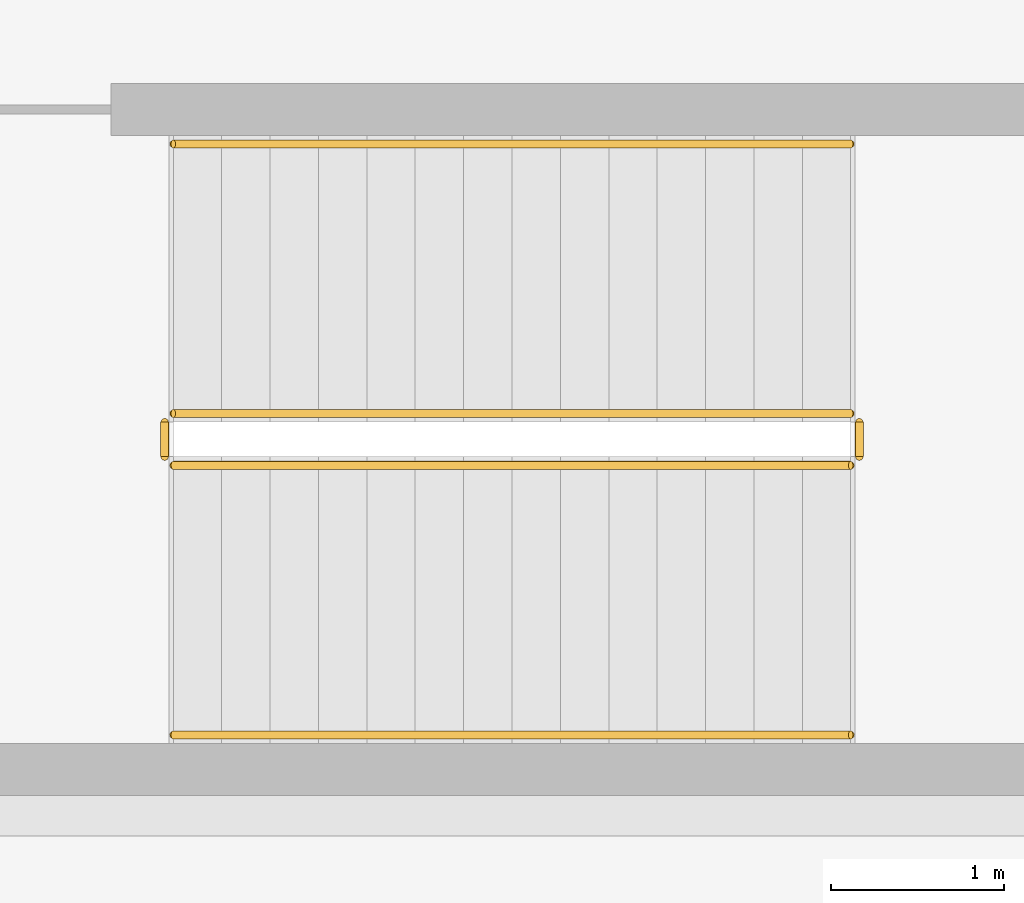
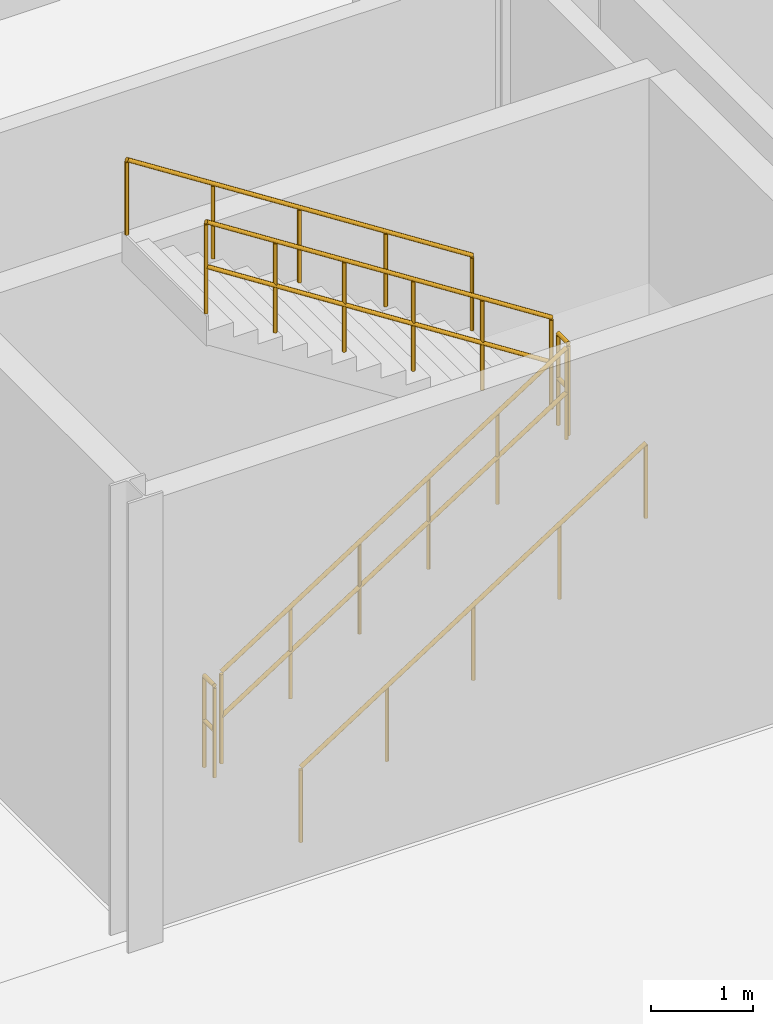
# One storey, part 220 of 229: 6 railings.
"""IFC4 building model written with IfcOpenShell, lengths in metres."""

from ifc_helpers import new_model, si_unit, direction, frame, origin, origin_2d, place, context, subcontext, project, spatial, circle, extrude, material, type_object, element, save


model = new_model("IFC4")

# Units and contexts
model_context = context("Model", 3, precision=1e-05, world=origin(), true_north=direction((0.0, 1.0)))
body_context = subcontext(model_context, "Body", "Model", "MODEL_VIEW")
ifc_project = project(units=[si_unit("LENGTHUNIT", "METRE"), si_unit("AREAUNIT", "SQUARE_METRE"), si_unit("VOLUMEUNIT", "CUBIC_METRE"), si_unit("PLANEANGLEUNIT", "RADIAN"), si_unit("MASSUNIT", "GRAM", prefix="KILO")], contexts=[model_context])

# Site, building, storey
site_placement = place(None, origin())
site = spatial("IfcSite", under=ifc_project, at=site_placement, CompositionType="ELEMENT")
building_placement = place(site_placement, origin())
building = spatial("IfcBuilding", under=site, at=building_placement, Name="Calvrana Isthmian Art Gallery", CompositionType="ELEMENT")
storey_placement = place(building_placement, origin())
storey = spatial("IfcBuildingStorey", under=building, at=storey_placement, Name="L00", CompositionType="ELEMENT", Elevation=0.0)

# Railings
ifc_material = material(Name="Stainless steel 316", Category="steel")
railing_type_1 = type_object("IfcRailingType", Name="RL-GUARD-1120", PredefinedType="BALUSTRADE", material=ifc_material)
railing_1_placement = place(storey_placement, frame((106.5, 78.760009765625, 0.179931640625)))
element("IfcRailing", 1, at=railing_1_placement, inside=storey, type_object=railing_type_1, Name="Stair ST-5 guard L00-1", PredefinedType="BALUSTRADE", context=body_context, shape_type="SweptSolid", body=[
    extrude(circle(Radius=0.02392578125, at=origin_2d()), frame((0.0, 0.0, 1.09619140625), z_axis=(0.841171666519, 0.0, 0.540768182723), x_axis=(0.0, 1.0, 0.0)), (0.0, 0.0, 1.0), 4.66015625),
    extrude(circle(Radius=0.02392578125, at=origin_2d()), frame((0.0, 0.0, 0.56005859375), z_axis=(0.841171666519, 0.0, 0.540768182723), x_axis=(0.0, 1.0, 0.0)), (0.0, 0.0, 1.0), 4.66015625),
    extrude(circle(Radius=0.02099609375, at=origin_2d()), origin(), (0.0, 0.0, 1.0), 1.072021484375),
    extrude(circle(Radius=0.02099609375, at=origin_2d()), frame((0.783935546875, 0.0, 0.50390625)), (0.0, 0.0, 1.0), 1.072021484375),
    extrude(circle(Radius=0.02099609375, at=origin_2d()), frame((1.56787109375, 0.0, 1.008056640625)), (0.0, 0.0, 1.0), 1.072021484375),
    extrude(circle(Radius=0.02099609375, at=origin_2d()), frame((2.35205078125, 0.0, 1.511962890625)), (0.0, 0.0, 1.0), 1.072021484375),
    extrude(circle(Radius=0.02099609375, at=origin_2d()), frame((3.135986328125, 0.0, 2.01611328125)), (0.0, 0.0, 1.0), 1.072021484375),
    extrude(circle(Radius=0.02099609375, at=origin_2d()), frame((3.919921875, 0.0, 2.52001953125)), (0.0, 0.0, 1.0), 1.072021484375),
])
railing_2_placement = place(storey_placement, frame((110.469970703125, 78.81005859375, 2.699951171875)))
element("IfcRailing", 2, at=railing_2_placement, inside=storey, type_object=railing_type_1, Name="Stair ST-5 guard L00-2", PredefinedType="BALUSTRADE", context=body_context, shape_type="SweptSolid", body=[
    extrude(circle(Radius=0.02392578125, at=origin_2d()), frame((0.0, 0.0, 1.09619140625), z_axis=(0.0, 1.0, 0.0), x_axis=(-1.0, 0.0, 0.0)), (0.0, 0.0, 1.0), 0.199951171875),
    extrude(circle(Radius=0.02392578125, at=origin_2d()), frame((0.0, 0.0, 0.56005859375), z_axis=(0.0, 1.0, 0.0), x_axis=(-1.0, 0.0, 0.0)), (0.0, 0.0, 1.0), 0.199951171875),
    extrude(circle(Radius=0.02099609375, at=origin_2d()), origin(), (0.0, 0.0, 1.0), 1.072021484375),
    extrude(circle(Radius=0.02099609375, at=origin_2d()), frame((0.0, 0.199951171875, 0.0)), (0.0, 0.0, 1.0), 1.072021484375),
])
railing_3_placement = place(storey_placement, frame((110.419921875, 79.06005859375, 2.8798828125)))
element("IfcRailing", 3, at=railing_3_placement, inside=storey, type_object=railing_type_1, Name="Stair ST-5 guard L00-3", PredefinedType="BALUSTRADE", context=body_context, shape_type="SweptSolid", body=[
    extrude(circle(Radius=0.02392578125, at=origin_2d()), frame((0.0, 0.0, 1.09619140625), z_axis=(-0.841171666519, 0.0, 0.540768182723), x_axis=(0.0, -1.0, 0.0)), (0.0, 0.0, 1.0), 4.66015625),
    extrude(circle(Radius=0.02392578125, at=origin_2d()), frame((0.0, 0.0, 0.56005859375), z_axis=(-0.841171666519, 0.0, 0.540768182723), x_axis=(0.0, -1.0, 0.0)), (0.0, 0.0, 1.0), 4.66015625),
    extrude(circle(Radius=0.02099609375, at=origin_2d()), origin(), (0.0, 0.0, 1.0), 1.072021484375),
    extrude(circle(Radius=0.02099609375, at=origin_2d()), frame((-0.783935546875, 0.0, 0.50390625)), (0.0, 0.0, 1.0), 1.072021484375),
    extrude(circle(Radius=0.02099609375, at=origin_2d()), frame((-1.56787109375, 0.0, 1.008056640625)), (0.0, 0.0, 1.0), 1.072021484375),
    extrude(circle(Radius=0.02099609375, at=origin_2d()), frame((-2.35205078125, 0.0, 1.511962890625)), (0.0, 0.0, 1.0), 1.072021484375),
    extrude(circle(Radius=0.02099609375, at=origin_2d()), frame((-3.135986328125, 0.0, 2.01611328125)), (0.0, 0.0, 1.0), 1.072021484375),
    extrude(circle(Radius=0.02099609375, at=origin_2d()), frame((-3.919921875, 0.0, 2.52001953125)), (0.0, 0.0, 1.0), 1.072021484375),
])
railing_4_placement = place(storey_placement, frame((106.449951171875, 78.81005859375, 0.0)))
element("IfcRailing", 4, at=railing_4_placement, inside=storey, type_object=railing_type_1, Name="Stair ST-5 guard L00-4", PredefinedType="BALUSTRADE", context=body_context, shape_type="SweptSolid", body=[
    extrude(circle(Radius=0.02392578125, at=origin_2d()), frame((0.0, 0.0, 1.09619140625), z_axis=(0.0, 1.0, 0.0), x_axis=(-1.0, 0.0, 0.0)), (0.0, 0.0, 1.0), 0.199951171875),
    extrude(circle(Radius=0.02392578125, at=origin_2d()), frame((0.0, 0.0, 0.56005859375), z_axis=(0.0, 1.0, 0.0), x_axis=(-1.0, 0.0, 0.0)), (0.0, 0.0, 1.0), 0.199951171875),
    extrude(circle(Radius=0.02099609375, at=origin_2d()), origin(), (0.0, 0.0, 1.0), 1.072021484375),
    extrude(circle(Radius=0.02099609375, at=origin_2d()), frame((0.0, 0.199951171875, 0.0)), (0.0, 0.0, 1.0), 1.072021484375),
])
railing_type_2 = type_object("IfcRailingType", Name="RL-HAND-920", PredefinedType="HANDRAIL", material=ifc_material)
railing_5_placement = place(storey_placement, frame((106.5, 77.199951171875, 0.179931640625)))
element("IfcRailing", 5, at=railing_5_placement, inside=storey, type_object=railing_type_2, Name="Stair ST-5 handrail L00-1", PredefinedType="HANDRAIL", context=body_context, shape_type="SweptSolid", body=[
    extrude(circle(Radius=0.02392578125, at=origin_2d()), frame((0.0, 0.0, 0.89599609375), z_axis=(0.841171666519, 0.0, 0.540768182723), x_axis=(0.0, 1.0, 0.0)), (0.0, 0.0, 1.0), 4.66015625),
    extrude(circle(Radius=0.02099609375, at=origin_2d()), origin(), (0.0, 0.0, 1.0), 0.871826171875),
    extrude(circle(Radius=0.02099609375, at=origin_2d()), frame((0.97998046875, 0.0, 0.6298828125)), (0.0, 0.0, 1.0), 0.871826171875),
    extrude(circle(Radius=0.02099609375, at=origin_2d()), frame((1.9599609375, 0.0, 1.260009765625)), (0.0, 0.0, 1.0), 0.871826171875),
    extrude(circle(Radius=0.02099609375, at=origin_2d()), frame((2.93994140625, 0.0, 1.89013671875)), (0.0, 0.0, 1.0), 0.871826171875),
    extrude(circle(Radius=0.02099609375, at=origin_2d()), frame((3.919921875, 0.0, 2.52001953125)), (0.0, 0.0, 1.0), 0.871826171875),
])
railing_6_placement = place(storey_placement, frame((110.419921875, 80.6201171875, 2.8798828125)))
element("IfcRailing", 6, at=railing_6_placement, inside=storey, type_object=railing_type_2, Name="Stair ST-5 handrail L00-2", PredefinedType="HANDRAIL", context=body_context, shape_type="SweptSolid", body=[
    extrude(circle(Radius=0.02392578125, at=origin_2d()), frame((0.0, 0.0, 0.89599609375), z_axis=(-0.841171666519, 0.0, 0.540768182723), x_axis=(0.0, -1.0, 0.0)), (0.0, 0.0, 1.0), 4.66015625),
    extrude(circle(Radius=0.02099609375, at=origin_2d()), origin(), (0.0, 0.0, 1.0), 0.871826171875),
    extrude(circle(Radius=0.02099609375, at=origin_2d()), frame((-0.97998046875, 0.0, 0.6298828125)), (0.0, 0.0, 1.0), 0.871826171875),
    extrude(circle(Radius=0.02099609375, at=origin_2d()), frame((-1.9599609375, 0.0, 1.260009765625)), (0.0, 0.0, 1.0), 0.871826171875),
    extrude(circle(Radius=0.02099609375, at=origin_2d()), frame((-2.93994140625, 0.0, 1.89013671875)), (0.0, 0.0, 1.0), 0.871826171875),
    extrude(circle(Radius=0.02099609375, at=origin_2d()), frame((-3.919921875, 0.0, 2.52001953125)), (0.0, 0.0, 1.0), 0.871826171875),
])

save(model, "model.ifc")
